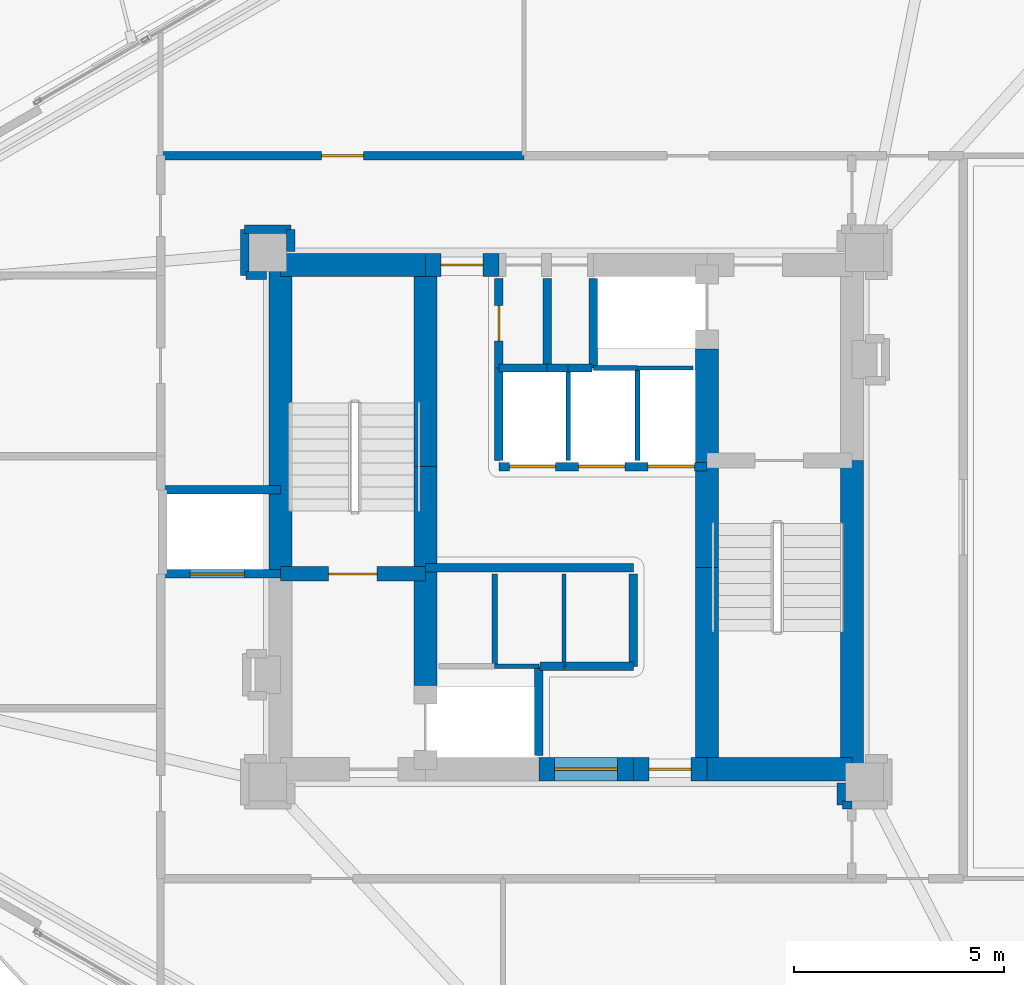
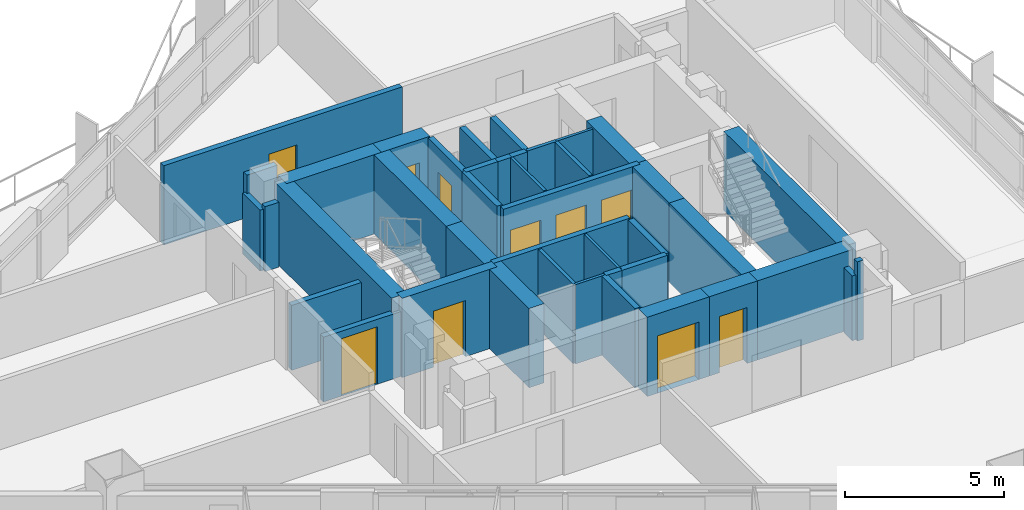
# One storey, part 12 of 16: 43 walls, 10 doors, 10 openings.
"""IFC4 building model written with IfcOpenShell, lengths in metres."""

from ifc_helpers import new_model, si_unit, direction, frame, frame_2d, origin, place, context, subcontext, project, spatial, rectangle, extrude, material, layer, layer_set, type_object, element, fill, save


model = new_model("IFC4")

# Units and contexts
model_context = context("Model", 3, precision=1e-05, world=origin(), true_north=direction((0.0, 1.0)))
body_context = subcontext(model_context, "Body", "Model", "MODEL_VIEW")
ifc_project = project(units=[si_unit("LENGTHUNIT", "METRE"), si_unit("AREAUNIT", "SQUARE_METRE"), si_unit("VOLUMEUNIT", "CUBIC_METRE"), si_unit("PLANEANGLEUNIT", "RADIAN"), si_unit("MASSUNIT", "GRAM", prefix="KILO")], contexts=[model_context])

# Site, building, storey
site_placement = place(None, origin())
site = spatial("IfcSite", under=ifc_project, at=site_placement, CompositionType="ELEMENT")
building_placement = place(site_placement, origin())
building = spatial("IfcBuilding", under=site, at=building_placement, Name="Mersakhor Tower and Convention Hall", CompositionType="ELEMENT")
storey_placement = place(building_placement, frame((0.0, 0.0, 19.199951171875)))
storey = spatial("IfcBuildingStorey", under=building, at=storey_placement, Name="L04", CompositionType="ELEMENT", Elevation=19.199951171875)

# Walls
ifc_material_1 = material(Name="Lightweight gypsum partition", Category="other")
ifc_layer_1 = layer(ifc_material_1, 0.10009765625)
ifc_layer_set_1 = layer_set([ifc_layer_1], Name="Lightweight gypsum partition")
wall_type_1 = type_object("IfcWallType", Name="WL-PRT-100", PredefinedType="PARTITIONING", material=ifc_layer_set_1)
wall_1_placement = place(storey_placement, frame((27.300048828125, 23.199951171875, 0.0), z_axis=(0.0, 0.0, 1.0), x_axis=(1.0, 0.0, 0.0)))
element("IfcWall", 1, at=wall_1_placement, inside=storey, type_object=wall_type_1, Name="L04 Interior Partition Wall P-002", PredefinedType="PARTITIONING", context=body_context, shape_type="SweptSolid", body=[
    extrude(rectangle(XDim=1.050048828125, YDim=0.10009765625, at=frame_2d((0.52490234375, 0.0))), origin(), (0.0, 0.0, 1.0), 3.0400390625),
])
wall_2_placement = place(storey_placement, frame((32.02490234375, 30.300048828125, 0.0), z_axis=(0.0, 0.0, 1.0), x_axis=(-1.0, 0.0, 0.0)))
element("IfcWall", 2, at=wall_2_placement, inside=storey, type_object=wall_type_1, Name="L04 Interior Partition Wall P-004", PredefinedType="PARTITIONING", context=body_context, shape_type="SweptSolid", body=[
    extrude(rectangle(XDim=1.324951171875, YDim=0.10009765625, at=frame_2d((0.66259765625, 0.0))), origin(), (0.0, 0.0, 1.0), 3.0400390625),
])
for number, where, z_axis, x_axis, name in (
    (3, (28.949951171875, 25.39990234375, 0.0), (0.0, 0.0, 1.0), (0.0, -1.0, 0.0), "L04 Interior Partition Wall P-008"),
    (4, (29.050048828125, 30.300048828125, 0.0), (0.0, 0.0, 1.0), (0.0, -1.0, 0.0), "L04 Interior Partition Wall P-014"),
):
    element("IfcWall", number, at=place(storey_placement, frame(where, z_axis=z_axis, x_axis=x_axis)), inside=storey, type_object=wall_type_1, Name=name, PredefinedType="PARTITIONING", context=body_context, shape_type="SweptSolid", body=[
        extrude(rectangle(XDim=2.199951171875, YDim=0.10009765625, at=frame_2d((1.10009765625, 0.0))), origin(), (0.0, 0.0, 1.0), 3.0400390625),
    ])
ifc_material_2 = material(Name="Gypsum board acoustic partition", Category="other")
ifc_layer_2 = layer(ifc_material_2, 0.125)
ifc_layer_set_2 = layer_set([ifc_layer_2], Name="Gypsum board acoustic partition")
wall_type_2 = type_object("IfcWallType", Name="WL-PRT-125", PredefinedType="PARTITIONING", material=ifc_layer_set_2)
wall_3_placement = place(storey_placement, frame((30.699951171875, 30.300048828125, 0.0), z_axis=(0.0, 0.0, 1.0), x_axis=(-1.0, 0.0, 0.0)))
element("IfcWall", 5, at=wall_3_placement, inside=storey, type_object=wall_type_2, Name="L04 Interior Partition Wall P-005", PredefinedType="PARTITIONING", context=body_context, shape_type="SweptSolid", body=[
    extrude(rectangle(XDim=1.050048828125, YDim=0.125, at=frame_2d((0.52490234375, 0.0))), origin(), (0.0, 0.0, 1.0), 3.0400390625),
])
for number, where, z_axis, x_axis, name in (
    (6, (27.300048828125, 25.39990234375, 0.0), (0.0, 0.0, 1.0), (0.0, -1.0, 0.0), "L04 Interior Partition Wall P-007"),
    (7, (30.699951171875, 30.300048828125, 0.0), (0.0, 0.0, 1.0), (0.0, -1.0, 0.0), "L04 Interior Partition Wall P-017"),
):
    element("IfcWall", number, at=place(storey_placement, frame(where, z_axis=z_axis, x_axis=x_axis)), inside=storey, type_object=wall_type_2, Name=name, PredefinedType="PARTITIONING", context=body_context, shape_type="SweptSolid", body=[
        extrude(rectangle(XDim=2.199951171875, YDim=0.125, at=frame_2d((1.10009765625, 0.0))), origin(), (0.0, 0.0, 1.0), 3.0400390625),
    ])
ifc_material_3 = material(Name="Acoustic concrete blockwork and gypsum board", Category="masonry")
ifc_layer_3 = layer(ifc_material_3, 0.199951171875)
ifc_layer_set_3 = layer_set([ifc_layer_3], Name="Acoustic concrete blockwork and gypsum board")
wall_type_3 = type_object("IfcWallType", Name="WL-PRT-200", PredefinedType="PARTITIONING", material=ifc_layer_set_3)
wall_4_placement = place(storey_placement, frame((25.64990234375, 25.550048828125, 0.0), z_axis=(0.0, 0.0, 1.0), x_axis=(1.0, 0.0, 0.0)))
element("IfcWall", 8, at=wall_4_placement, inside=storey, type_object=wall_type_3, Name="L04 High-Rise Lift Bank Front Wall", PredefinedType="PARTITIONING", context=body_context, shape_type="SweptSolid", body=[
    extrude(rectangle(XDim=4.9501953125, YDim=0.199951171875, at=frame_2d((2.47509765625, 0.0))), origin(), (0.0, 0.0, 1.0), 3.0400390625),
])

# Wall, openings, doors
wall_5_placement = place(storey_placement, frame((27.39990234375, 27.949951171875, 0.0), z_axis=(0.0, 0.0, 1.0), x_axis=(1.0, 0.0, 0.0)))
wall_5 = element("IfcWall", 9, at=wall_5_placement, inside=storey, type_object=wall_type_3, Name="L04 Low-Rise Lift Bank Front Wall", PredefinedType="PARTITIONING", context=body_context, shape_type="SweptSolid", body=[
    extrude(rectangle(XDim=4.9501953125, YDim=0.199951171875, at=frame_2d((2.47509765625, 0.0))), origin(), (0.0, 0.0, 1.0), 3.0400390625),
])
opening_1_placement = place(wall_5_placement, frame((0.25, 0.0, 0.0)))
opening_1 = element("IfcOpeningElement", 10, at=opening_1_placement, cuts=wall_5, Name="Opening LD-P1", PredefinedType="OPENING", context=body_context, shape_type="SweptSolid", body=[
    extrude(rectangle(XDim=1.10009765625, YDim=2.14990234375, at=frame_2d((0.550048828125, 1.074951171875))), frame((0.0, 0.10986328125, 0.0), z_axis=(0.0, -1.0, 0.0), x_axis=(1.0, 0.0, 0.0)), (0.0, 0.0, 1.0), 0.219970703125),
])
opening_2_placement = place(wall_5_placement, frame((1.89990234375, 0.0, 0.0)))
opening_2 = element("IfcOpeningElement", 11, at=opening_2_placement, cuts=wall_5, Name="Opening LD-P2", PredefinedType="OPENING", context=body_context, shape_type="SweptSolid", body=[
    extrude(rectangle(XDim=1.10009765625, YDim=2.14990234375, at=frame_2d((0.550048828125, 1.074951171875))), frame((0.0, 0.10986328125, 0.0), z_axis=(0.0, -1.0, 0.0), x_axis=(1.0, 0.0, 0.0)), (0.0, 0.0, 1.0), 0.219970703125),
])
opening_3_placement = place(wall_5_placement, frame((3.550048828125, 0.0, 0.0)))
opening_3 = element("IfcOpeningElement", 12, at=opening_3_placement, cuts=wall_5, Name="Opening LD-P3", PredefinedType="OPENING", context=body_context, shape_type="SweptSolid", body=[
    extrude(rectangle(XDim=1.10009765625, YDim=2.14990234375, at=frame_2d((0.550048828125, 1.074951171875))), frame((0.0, 0.10986328125, 0.0), z_axis=(0.0, -1.0, 0.0), x_axis=(1.0, 0.0, 0.0)), (0.0, 0.0, 1.0), 0.219970703125),
])
ifc_material_4 = material(Name="Fire-rated brushed stainless steel sliding landing door", Category="steel")
door_type_1 = type_object("IfcDoorType", Name="DR-LIFT-SLD-110x215", OperationType="NOTDEFINED", PredefinedType="DOOR", material=ifc_material_4)
door_1_placement = place(opening_1_placement, origin())
door_1 = element("IfcDoor", 13, at=door_1_placement, inside=storey, type_object=door_type_1, Name="L04 Lift Landing Door LD-P1", OperationType="SLIDING_TO_LEFT", OverallHeight=2.14990234375, OverallWidth=1.10009765625, PredefinedType="DOOR", context=body_context, shape_type="SweptSolid", body=[
    extrude(rectangle(XDim=1.10009765625, YDim=2.14990234375, at=frame_2d((0.550048828125, 1.074951171875))), frame((0.0, 0.02490234375, 0.0), z_axis=(0.0, -1.0, 0.0), x_axis=(1.0, 0.0, 0.0)), (0.0, 0.0, 1.0), 0.050048828125),
])
fill(opening_1, door_1)
door_2_placement = place(opening_2_placement, origin())
door_2 = element("IfcDoor", 14, at=door_2_placement, inside=storey, type_object=door_type_1, Name="L04 Lift Landing Door LD-P2", OperationType="SLIDING_TO_LEFT", OverallHeight=2.14990234375, OverallWidth=1.10009765625, PredefinedType="DOOR", context=body_context, shape_type="SweptSolid", body=[
    extrude(rectangle(XDim=1.10009765625, YDim=2.14990234375, at=frame_2d((0.550048828125, 1.074951171875))), frame((0.0, 0.02490234375, 0.0), z_axis=(0.0, -1.0, 0.0), x_axis=(1.0, 0.0, 0.0)), (0.0, 0.0, 1.0), 0.050048828125),
])
fill(opening_2, door_2)
door_3_placement = place(opening_3_placement, origin())
door_3 = element("IfcDoor", 15, at=door_3_placement, inside=storey, type_object=door_type_1, Name="L04 Lift Landing Door LD-P3", OperationType="SLIDING_TO_LEFT", OverallHeight=2.14990234375, OverallWidth=1.10009765625, PredefinedType="DOOR", context=body_context, shape_type="SweptSolid", body=[
    extrude(rectangle(XDim=1.10009765625, YDim=2.14990234375, at=frame_2d((0.550048828125, 1.074951171875))), frame((0.0, 0.02490234375, 0.0), z_axis=(0.0, -1.0, 0.0), x_axis=(1.0, 0.0, 0.0)), (0.0, 0.0, 1.0), 0.050048828125),
])
fill(opening_3, door_3)

# Wall
wall_6_placement = place(storey_placement, frame((19.39990234375, 27.39990234375, 0.0), z_axis=(0.0, 0.0, 1.0), x_axis=(1.0, 0.0, 0.0)))
element("IfcWall", 16, at=wall_6_placement, inside=storey, type_object=wall_type_3, Name="L04 Clinic Lift North Wall", PredefinedType="PARTITIONING", context=body_context, shape_type="SweptSolid", body=[
    extrude(rectangle(XDim=2.800048828125, YDim=0.199951171875, at=frame_2d((1.39990234375, 0.0))), origin(), (0.0, 0.0, 1.0), 2.48828125),
])

# Wall, opening, door
wall_7_placement = place(storey_placement, frame((22.199951171875, 25.39990234375, 0.0), z_axis=(0.0, 0.0, 1.0), x_axis=(-1.0, 0.0, 0.0)))
wall_7 = element("IfcWall", 17, at=wall_7_placement, inside=storey, type_object=wall_type_3, Name="L04 Clinic Lift Front Wall", PredefinedType="PARTITIONING", context=body_context, shape_type="SweptSolid", body=[
    extrude(rectangle(XDim=2.800048828125, YDim=0.199951171875, at=frame_2d((1.39990234375, 0.0))), origin(), (0.0, 0.0, 1.0), 2.48828125),
])
opening_4_placement = place(wall_7_placement, frame((0.85009765625, 0.0, 0.0)))
opening_4 = element("IfcOpeningElement", 18, at=opening_4_placement, cuts=wall_7, Name="Opening LD-CL1", PredefinedType="OPENING", context=body_context, shape_type="SweptSolid", body=[
    extrude(rectangle(XDim=1.300048828125, YDim=2.199951171875, at=frame_2d((0.64990234375, 1.10009765625))), frame((0.0, 0.10986328125, 0.0), z_axis=(0.0, -1.0, 0.0), x_axis=(1.0, 0.0, 0.0)), (0.0, 0.0, 1.0), 0.219970703125),
])
ifc_material_5 = material(Name="Fire-rated brushed stainless steel sliding landing door", Category="steel")
door_type_2 = type_object("IfcDoorType", Name="DR-LIFT-SLD-130x220", OperationType="NOTDEFINED", PredefinedType="DOOR", material=ifc_material_5)
door_4_placement = place(opening_4_placement, origin())
door_4 = element("IfcDoor", 19, at=door_4_placement, inside=storey, type_object=door_type_2, Name="L04 Clinic Stretcher Lift Landing Door LD-CL1", OperationType="SLIDING_TO_LEFT", OverallHeight=2.199951171875, OverallWidth=1.300048828125, PredefinedType="DOOR", context=body_context, shape_type="SweptSolid", body=[
    extrude(rectangle(XDim=1.300048828125, YDim=2.199951171875, at=frame_2d((0.64990234375, 1.10009765625))), frame((0.0, 0.02490234375, 0.0), z_axis=(0.0, -1.0, 0.0), x_axis=(1.0, 0.0, 0.0)), (0.0, 0.0, 1.0), 0.050048828125),
])
fill(opening_4, door_4)

# Walls
for number, where, z_axis, x_axis, name in (
    (20, (28.35009765625, 23.199951171875, 0.0), (0.0, 0.0, 1.0), (0.0, -1.0, 0.0), "L04 Interior Partition Wall P-003"),
    (21, (29.64990234375, 30.300048828125, 0.0), (0.0, 0.0, 1.0), (0.0, 1.0, 0.0), "L04 Interior Partition Wall P-006"),
):
    element("IfcWall", number, at=place(storey_placement, frame(where, z_axis=z_axis, x_axis=x_axis)), inside=storey, type_object=wall_type_3, Name=name, PredefinedType="PARTITIONING", context=body_context, shape_type="SweptSolid", body=[
        extrude(rectangle(XDim=2.125, YDim=0.199951171875, at=frame_2d((1.0625, 0.0))), origin(), (0.0, 0.0, 1.0), 3.0400390625),
    ])
wall_8_placement = place(storey_placement, frame((28.949951171875, 23.199951171875, 0.0), z_axis=(0.0, 0.0, 1.0), x_axis=(-1.0, 0.0, 0.0)))
element("IfcWall", 22, at=wall_8_placement, inside=storey, type_object=wall_type_3, Name="L04 Interior Partition Wall P-009", PredefinedType="PARTITIONING", context=body_context, shape_type="SweptSolid", body=[
    extrude(rectangle(XDim=0.570068359375, YDim=0.199951171875, at=frame_2d((0.28515625, 0.0))), origin(), (0.0, 0.0, 1.0), 3.0400390625),
])
wall_9_placement = place(storey_placement, frame((30.60009765625, 25.39990234375, 0.0), z_axis=(0.0, 0.0, 1.0), x_axis=(0.0, -1.0, 0.0)))
element("IfcWall", 23, at=wall_9_placement, inside=storey, type_object=wall_type_3, Name="L04 Interior Partition Wall P-010", PredefinedType="PARTITIONING", context=body_context, shape_type="SweptSolid", body=[
    extrude(rectangle(XDim=2.199951171875, YDim=0.199951171875, at=frame_2d((1.10009765625, 0.0))), origin(), (0.0, 0.0, 1.0), 3.0400390625),
])
wall_10_placement = place(storey_placement, frame((30.60009765625, 23.199951171875, 0.0), z_axis=(0.0, 0.0, 1.0), x_axis=(-1.0, 0.0, 0.0)))
element("IfcWall", 24, at=wall_10_placement, inside=storey, type_object=wall_type_3, Name="L04 Interior Partition Wall P-011", PredefinedType="PARTITIONING", context=body_context, shape_type="SweptSolid", body=[
    extrude(rectangle(XDim=1.650146484375, YDim=0.199951171875, at=frame_2d((0.8251953125, 0.0))), origin(), (0.0, 0.0, 1.0), 3.0400390625),
])
wall_11_placement = place(storey_placement, frame((27.39990234375, 30.300048828125, 0.0), z_axis=(0.0, 0.0, 1.0), x_axis=(1.0, 0.0, 0.0)))
element("IfcWall", 25, at=wall_11_placement, inside=storey, type_object=wall_type_3, Name="L04 Interior Partition Wall P-012", PredefinedType="PARTITIONING", context=body_context, shape_type="SweptSolid", body=[
    extrude(rectangle(XDim=1.150146484375, YDim=0.199951171875, at=frame_2d((0.5751953125, 0.0))), origin(), (0.0, 0.0, 1.0), 3.0400390625),
])
wall_12_placement = place(storey_placement, frame((28.550048828125, 30.300048828125, 0.0), z_axis=(0.0, 0.0, 1.0), x_axis=(1.0, 0.0, 0.0)))
element("IfcWall", 26, at=wall_12_placement, inside=storey, type_object=wall_type_3, Name="L04 Interior Partition Wall P-013", PredefinedType="PARTITIONING", context=body_context, shape_type="SweptSolid", body=[
    extrude(rectangle(XDim=0.5, YDim=0.199951171875, at=frame_2d((0.25, 0.0))), origin(), (0.0, 0.0, 1.0), 3.0400390625),
])
wall_13_placement = place(storey_placement, frame((27.39990234375, 28.10009765625, 0.0), z_axis=(0.0, 0.0, 1.0), x_axis=(0.0, 1.0, 0.0)))
element("IfcWall", 27, at=wall_13_placement, inside=storey, type_object=wall_type_3, Name="L04 Interior Partition Wall P-015", PredefinedType="PARTITIONING", context=body_context, shape_type="SweptSolid", body=[
    extrude(rectangle(XDim=2.199951171875, YDim=0.199951171875, at=frame_2d((1.10009765625, 0.0))), origin(), (0.0, 0.0, 1.0), 3.0400390625),
])
wall_14_placement = place(storey_placement, frame((29.050048828125, 30.300048828125, 0.0), z_axis=(0.0, 0.0, 1.0), x_axis=(1.0, 0.0, 0.0)))
element("IfcWall", 28, at=wall_14_placement, inside=storey, type_object=wall_type_3, Name="L04 Interior Partition Wall P-016", PredefinedType="PARTITIONING", context=body_context, shape_type="SweptSolid", body=[
    extrude(rectangle(XDim=0.570068359375, YDim=0.199951171875, at=frame_2d((0.28515625, 0.0))), origin(), (0.0, 0.0, 1.0), 3.0400390625),
])

# Wall, opening, door
wall_15_placement = place(storey_placement, frame((27.39990234375, 32.425048828125, 0.0), z_axis=(0.0, 0.0, 1.0), x_axis=(0.0, -1.0, 0.0)))
wall_15 = element("IfcWall", 29, at=wall_15_placement, inside=storey, type_object=wall_type_3, Name="L04 Interior Partition Wall P-018", PredefinedType="PARTITIONING", context=body_context, shape_type="SweptSolid", body=[
    extrude(rectangle(XDim=2.125, YDim=0.199951171875, at=frame_2d((1.0625, 0.0))), origin(), (0.0, 0.0, 1.0), 3.0400390625),
])
opening_5_placement = place(wall_15_placement, frame((0.637451171875, 0.0, 0.0)))
opening_5 = element("IfcOpeningElement", 30, at=opening_5_placement, cuts=wall_15, Name="Opening SVD-01", PredefinedType="OPENING", context=body_context, shape_type="SweptSolid", body=[
    extrude(rectangle(XDim=0.85009765625, YDim=2.10009765625, at=frame_2d((0.425048828125, 1.050048828125))), frame((0.0, 0.10986328125, 0.0), z_axis=(0.0, -1.0, 0.0), x_axis=(1.0, 0.0, 0.0)), (0.0, 0.0, 1.0), 0.219970703125),
])
ifc_material_6 = material(Name="Fire-rated hardwood leaf and painted steel frame", Category="steel")
door_type_3 = type_object("IfcDoorType", Name="DR-INT-SVC-085x210", OperationType="NOTDEFINED", PredefinedType="DOOR", material=ifc_material_6)
door_5_placement = place(opening_5_placement, origin())
door_5 = element("IfcDoor", 31, at=door_5_placement, inside=storey, type_object=door_type_3, Name="L04 Central Passenger Lift Lobby to Telecoms Distribution Room Door", OperationType="SINGLE_SWING_RIGHT", OverallHeight=2.10009765625, OverallWidth=0.85009765625, PredefinedType="DOOR", context=body_context, shape_type="SweptSolid", body=[
    extrude(rectangle(XDim=0.85009765625, YDim=2.10009765625, at=frame_2d((0.425048828125, 1.050048828125))), frame((0.0, 0.02490234375, 0.0), z_axis=(0.0, -1.0, 0.0), x_axis=(1.0, 0.0, 0.0)), (0.0, 0.0, 1.0), 0.050048828125),
])
fill(opening_5, door_5)

# Walls
wall_16_placement = place(storey_placement, frame((35.550048828125, 20.425048828125, 0.0), z_axis=(0.0, 0.0, 1.0), x_axis=(0.0, -1.0, 0.0)))
element("IfcWall", 32, at=wall_16_placement, inside=storey, type_object=wall_type_3, Name="L04 Interior Partition Wall P-023", PredefinedType="PARTITIONING", context=body_context, shape_type="SweptSolid", body=[
    extrude(rectangle(XDim=0.525146484375, YDim=0.199951171875, at=frame_2d((0.2626953125, 0.0))), origin(), (0.0, 0.0, 1.0), 2.48828125),
])
wall_17_placement = place(storey_placement, frame((35.580078125, 19.89990234375, 0.0), z_axis=(0.0, 0.0, 1.0), x_axis=(1.0, 0.0, 0.0)))
element("IfcWall", 33, at=wall_17_placement, inside=storey, type_object=wall_type_3, Name="L04 Interior Partition Wall P-024", PredefinedType="PARTITIONING", context=body_context, shape_type="SweptSolid", body=[
    extrude(rectangle(XDim=0.219970703125, YDim=0.199951171875, at=frame_2d((0.10986328125, 0.0))), origin(), (0.0, 0.0, 1.0), 3.0400390625),
])

# Wall, opening, door
wall_18_placement = place(storey_placement, frame((19.35009765625, 35.35009765625, 0.0), z_axis=(0.0, 0.0, 1.0), x_axis=(1.0, 0.0, 0.0)))
wall_18 = element("IfcWall", 34, at=wall_18_placement, inside=storey, type_object=wall_type_3, Name="L04 Interior Partition Wall P-033", PredefinedType="PARTITIONING", context=body_context, shape_type="SweptSolid", body=[
    extrude(rectangle(XDim=8.64990234375, YDim=0.199951171875, at=frame_2d((4.324951171875, 0.0))), origin(), (0.0, 0.0, 1.0), 3.0400390625),
])
opening_6_placement = place(wall_18_placement, frame((3.824951171875, 0.0, 0.0)))
opening_6 = element("IfcOpeningElement", 35, at=opening_6_placement, cuts=wall_18, Name="Opening FD-01", PredefinedType="OPENING", context=body_context, shape_type="SweptSolid", body=[
    extrude(rectangle(XDim=1.0, YDim=2.14990234375, at=frame_2d((0.5, 1.074951171875))), frame((0.0, 0.10986328125, 0.0), z_axis=(0.0, -1.0, 0.0), x_axis=(1.0, 0.0, 0.0)), (0.0, 0.0, 1.0), 0.219970703125),
])
ifc_material_7 = material(Name="Fire-rated hardwood leaf and painted steel frame", Category="steel")
door_type_4 = type_object("IfcDoorType", Name="DR-INT-FLT-100x215", OperationType="NOTDEFINED", PredefinedType="DOOR", material=ifc_material_7)
door_6_placement = place(opening_6_placement, origin())
door_6 = element("IfcDoor", 36, at=door_6_placement, inside=storey, type_object=door_type_4, Name="L04 L04 Sky-Lobby Corridor to Early Years Nursery Classroom 1 Door", OperationType="SINGLE_SWING_LEFT", OverallHeight=2.14990234375, OverallWidth=1.0, PredefinedType="DOOR", context=body_context, shape_type="SweptSolid", body=[
    extrude(rectangle(XDim=1.0, YDim=2.14990234375, at=frame_2d((0.5, 1.074951171875))), frame((0.0, 0.02490234375, 0.0), z_axis=(0.0, -1.0, 0.0), x_axis=(1.0, 0.0, 0.0)), (0.0, 0.0, 1.0), 0.050048828125),
])
fill(opening_6, door_6)

# Walls
wall_19_placement = place(storey_placement, frame((22.449951171875, 33.074951171875, 0.0), z_axis=(0.0, 0.0, 1.0), x_axis=(0.0, 1.0, 0.0)))
element("IfcWall", 37, at=wall_19_placement, inside=storey, type_object=wall_type_3, Name="L04 Interior Partition Wall P-038", PredefinedType="PARTITIONING", context=body_context, shape_type="SweptSolid", body=[
    extrude(rectangle(XDim=0.525146484375, YDim=0.199951171875, at=frame_2d((0.2626953125, 0.0))), origin(), (0.0, 0.0, 1.0), 2.48828125),
])
wall_20_placement = place(storey_placement, frame((22.449951171875, 33.60009765625, 0.0), z_axis=(0.0, 0.0, 1.0), x_axis=(-1.0, 0.0, 0.0)))
element("IfcWall", 38, at=wall_20_placement, inside=storey, type_object=wall_type_3, Name="L04 Interior Partition Wall P-039", PredefinedType="PARTITIONING", context=body_context, shape_type="SweptSolid", body=[
    extrude(rectangle(XDim=1.099853515625, YDim=0.199951171875, at=frame_2d((0.5498046875, 0.0))), origin(), (0.0, 0.0, 1.0), 3.0400390625),
])
wall_21_placement = place(storey_placement, frame((21.35009765625, 33.60009765625, 0.0), z_axis=(0.0, 0.0, 1.0), x_axis=(0.0, -1.0, 0.0)))
element("IfcWall", 39, at=wall_21_placement, inside=storey, type_object=wall_type_3, Name="L04 Interior Partition Wall P-040", PredefinedType="PARTITIONING", context=body_context, shape_type="SweptSolid", body=[
    extrude(rectangle(XDim=1.10009765625, YDim=0.199951171875, at=frame_2d((0.550048828125, 0.0))), origin(), (0.0, 0.0, 1.0), 2.337646484375),
])
wall_22_placement = place(storey_placement, frame((21.3798828125, 32.5, 0.0), z_axis=(0.0, 0.0, 1.0), x_axis=(1.0, 0.0, 0.0)))
element("IfcWall", 40, at=wall_22_placement, inside=storey, type_object=wall_type_3, Name="L04 Interior Partition Wall P-041", PredefinedType="PARTITIONING", context=body_context, shape_type="SweptSolid", body=[
    extrude(rectangle(XDim=0.4951171875, YDim=0.199951171875, at=frame_2d((0.24755859375, 0.0))), origin(), (0.0, 0.0, 1.0), 2.48828125),
])
wall_23_placement = place(storey_placement, frame((28.550048828125, 32.425048828125, 0.0), z_axis=(0.0, 0.0, 1.0), x_axis=(0.0, -1.0, 0.0)))
element("IfcWall", 41, at=wall_23_placement, inside=storey, type_object=wall_type_3, Name="L04 Interior Partition Wall P-062", PredefinedType="PARTITIONING", context=body_context, shape_type="SweptSolid", body=[
    extrude(rectangle(XDim=2.125, YDim=0.199951171875, at=frame_2d((1.0625, 0.0))), origin(), (0.0, 0.0, 1.0), 3.0400390625),
])

# Wall, opening, door
ifc_material_8 = material(Name="Concrete C50/60", Category="concrete")
ifc_layer_4 = layer(ifc_material_8, 0.35009765625)
ifc_layer_set_4 = layer_set([ifc_layer_4], Name="Concrete C50/60")
wall_type_4 = type_object("IfcWallType", Name="WL-SHR-350", PredefinedType="SHEAR", material=ifc_layer_set_4)
wall_24_placement = place(storey_placement, frame((22.199951171875, 25.39990234375, 0.0), z_axis=(0.0, 0.0, 1.0), x_axis=(1.0, 0.0, 0.0)))
wall_24 = element("IfcWall", 42, at=wall_24_placement, inside=storey, type_object=wall_type_4, Name="L04 Core Wall CS-ST1-S", PredefinedType="SHEAR", context=body_context, shape_type="SweptSolid", body=[
    extrude(rectangle(XDim=3.449951171875, YDim=0.35009765625, at=frame_2d((1.72509765625, 0.0))), origin(), (0.0, 0.0, 1.0), 3.0400390625),
])
opening_7_placement = place(wall_24_placement, frame((1.14990234375, 0.0, 0.0)))
opening_7 = element("IfcOpeningElement", 43, at=opening_7_placement, cuts=wall_24, Name="Opening SD-01", PredefinedType="OPENING", context=body_context, shape_type="SweptSolid", body=[
    extrude(rectangle(XDim=1.14990234375, YDim=2.14990234375, at=frame_2d((0.574951171875, 1.074951171875))), frame((0.0, 0.18505859375, 0.0), z_axis=(0.0, -1.0, 0.0), x_axis=(1.0, 0.0, 0.0)), (0.0, 0.0, 1.0), 0.3701171875),
])
ifc_material_9 = material(Name="Fire-rated hardwood leaf and painted steel frame", Category="steel")
door_type_5 = type_object("IfcDoorType", Name="DR-INT-STAIR-115x215", OperationType="NOTDEFINED", PredefinedType="DOOR", material=ifc_material_9)
door_7_placement = place(opening_7_placement, origin())
door_7 = element("IfcDoor", 44, at=door_7_placement, inside=storey, type_object=door_type_5, Name="L04 Exit Stair ST-1 Enclosure Door", OperationType="SINGLE_SWING_LEFT", OverallHeight=2.14990234375, OverallWidth=1.14990234375, PredefinedType="DOOR", context=body_context, shape_type="SweptSolid", body=[
    extrude(rectangle(XDim=1.14990234375, YDim=2.14990234375, at=frame_2d((0.574951171875, 1.074951171875))), frame((0.0, 0.02490234375, 0.0), z_axis=(0.0, -1.0, 0.0), x_axis=(1.0, 0.0, 0.0)), (0.0, 0.0, 1.0), 0.050048828125),
])
fill(opening_7, door_7)

# Walls
ifc_material_10 = material(Name="Concrete C70/85", Category="concrete")
ifc_layer_5 = layer(ifc_material_10, 0.550048828125)
ifc_layer_set_5 = layer_set([ifc_layer_5], Name="Concrete C70/85")
wall_type_5 = type_object("IfcWallType", Name="WL-SHR-550", PredefinedType="SHEAR", material=ifc_layer_set_5)
wall_25_placement = place(storey_placement, frame((22.199951171875, 25.39990234375, 0.0), z_axis=(0.0, 0.0, 1.0), x_axis=(0.0, 1.0, 0.0)))
element("IfcWall", 45, at=wall_25_placement, inside=storey, type_object=wall_type_5, Name="L04 Core Wall CW-W2", PredefinedType="SHEAR", context=body_context, shape_type="SweptSolid", body=[
    extrude(rectangle(XDim=7.35009765625, YDim=0.550048828125, at=frame_2d((3.675048828125, 0.0))), origin(), (0.0, 0.0, 1.0), 3.0400390625),
])
wall_26_placement = place(storey_placement, frame((22.199951171875, 32.75, 0.0), z_axis=(0.0, 0.0, 1.0), x_axis=(1.0, 0.0, 0.0)))
element("IfcWall", 46, at=wall_26_placement, inside=storey, type_object=wall_type_5, Name="L04 Core Wall CW-N1", PredefinedType="SHEAR", context=body_context, shape_type="SweptSolid", body=[
    extrude(rectangle(XDim=3.449951171875, YDim=0.550048828125, at=frame_2d((1.72509765625, 0.0))), origin(), (0.0, 0.0, 1.0), 3.0400390625),
])

# Wall, opening, door
wall_27_placement = place(storey_placement, frame((25.64990234375, 32.75, 0.0), z_axis=(0.0, 0.0, 1.0), x_axis=(1.0, 0.0, 0.0)))
wall_27 = element("IfcWall", 47, at=wall_27_placement, inside=storey, type_object=wall_type_5, Name="L04 Core Wall CW-N2A", PredefinedType="SHEAR", context=body_context, shape_type="SweptSolid", body=[
    extrude(rectangle(XDim=1.75, YDim=0.550048828125, at=frame_2d((0.875, 0.0))), origin(), (0.0, 0.0, 1.0), 3.0400390625),
])
opening_8_placement = place(wall_27_placement, frame((0.375, 0.0, 0.0)))
opening_8 = element("IfcOpeningElement", 48, at=opening_8_placement, cuts=wall_27, Name="Opening CFD-01", PredefinedType="OPENING", context=body_context, shape_type="SweptSolid", body=[
    extrude(rectangle(XDim=1.0, YDim=2.14990234375, at=frame_2d((0.5, 1.074951171875))), frame((0.0, 0.284912109375, 0.0), z_axis=(0.0, -1.0, 0.0), x_axis=(1.0, 0.0, 0.0)), (0.0, 0.0, 1.0), 0.570068359375),
])
ifc_material_11 = material(Name="Fire-rated hardwood leaf and painted steel frame", Category="steel")
door_type_6 = type_object("IfcDoorType", Name="DR-CORE-FD-100x215", OperationType="NOTDEFINED", PredefinedType="DOOR", material=ifc_material_11)
door_8_placement = place(opening_8_placement, origin())
door_8 = element("IfcDoor", 49, at=door_8_placement, inside=storey, type_object=door_type_6, Name="L04 Lift Lobby North Corridor Door", OperationType="SINGLE_SWING_LEFT", OverallHeight=2.14990234375, OverallWidth=1.0, PredefinedType="DOOR", context=body_context, shape_type="SweptSolid", body=[
    extrude(rectangle(XDim=1.0, YDim=2.14990234375, at=frame_2d((0.5, 1.074951171875))), frame((0.0, 0.02490234375, 0.0), z_axis=(0.0, -1.0, 0.0), x_axis=(1.0, 0.0, 0.0)), (0.0, 0.0, 1.0), 0.050048828125),
])
fill(opening_8, door_8)

# Walls
wall_28_placement = place(storey_placement, frame((35.800048828125, 28.10009765625, 0.0), z_axis=(0.0, 0.0, 1.0), x_axis=(0.0, -1.0, 0.0)))
element("IfcWall", 50, at=wall_28_placement, inside=storey, type_object=wall_type_5, Name="L04 Core Wall CW-E2", PredefinedType="SHEAR", context=body_context, shape_type="SweptSolid", body=[
    extrude(rectangle(XDim=7.35009765625, YDim=0.550048828125, at=frame_2d((3.675048828125, 0.0))), origin(), (0.0, 0.0, 1.0), 3.0400390625),
])
wall_29_placement = place(storey_placement, frame((35.800048828125, 20.75, 0.0), z_axis=(0.0, 0.0, 1.0), x_axis=(-1.0, 0.0, 0.0)))
element("IfcWall", 51, at=wall_29_placement, inside=storey, type_object=wall_type_5, Name="L04 Core Wall CW-S1", PredefinedType="SHEAR", context=body_context, shape_type="SweptSolid", body=[
    extrude(rectangle(XDim=3.449951171875, YDim=0.550048828125, at=frame_2d((1.72509765625, 0.0))), origin(), (0.0, 0.0, 1.0), 3.0400390625),
])

# Wall, opening, door
wall_30_placement = place(storey_placement, frame((32.35009765625, 20.75, 0.0), z_axis=(0.0, 0.0, 1.0), x_axis=(-1.0, 0.0, 0.0)))
wall_30 = element("IfcWall", 52, at=wall_30_placement, inside=storey, type_object=wall_type_5, Name="L04 Core Wall CW-S2A", PredefinedType="SHEAR", context=body_context, shape_type="SweptSolid", body=[
    extrude(rectangle(XDim=1.75, YDim=0.550048828125, at=frame_2d((0.875, 0.0))), origin(), (0.0, 0.0, 1.0), 3.0400390625),
])
opening_9_placement = place(wall_30_placement, frame((0.375, 0.0, 0.0)))
opening_9 = element("IfcOpeningElement", 53, at=opening_9_placement, cuts=wall_30, Name="Opening CFD-01", PredefinedType="OPENING", context=body_context, shape_type="SweptSolid", body=[
    extrude(rectangle(XDim=1.0, YDim=2.14990234375, at=frame_2d((0.5, 1.074951171875))), frame((0.0, 0.284912109375, 0.0), z_axis=(0.0, -1.0, 0.0), x_axis=(1.0, 0.0, 0.0)), (0.0, 0.0, 1.0), 0.570068359375),
])
door_9_placement = place(opening_9_placement, origin())
door_9 = element("IfcDoor", 54, at=door_9_placement, inside=storey, type_object=door_type_6, Name="L04 Lift Lobby South Corridor Door", OperationType="SINGLE_SWING_RIGHT", OverallHeight=2.14990234375, OverallWidth=1.0, PredefinedType="DOOR", context=body_context, shape_type="SweptSolid", body=[
    extrude(rectangle(XDim=1.0, YDim=2.14990234375, at=frame_2d((0.5, 1.074951171875))), frame((0.0, 0.02490234375, 0.0), z_axis=(0.0, -1.0, 0.0), x_axis=(1.0, 0.0, 0.0)), (0.0, 0.0, 1.0), 0.050048828125),
])
fill(opening_9, door_9)

wall_31_placement = place(storey_placement, frame((30.60009765625, 20.75, 0.0), z_axis=(0.0, 0.0, 1.0), x_axis=(-1.0, 0.0, 0.0)))
wall_31 = element("IfcWall", 55, at=wall_31_placement, inside=storey, type_object=wall_type_5, Name="L04 Core Wall CW-S2B", PredefinedType="SHEAR", context=body_context, shape_type="SweptSolid", body=[
    extrude(rectangle(XDim=2.25, YDim=0.550048828125, at=frame_2d((1.125, 0.0))), origin(), (0.0, 0.0, 1.0), 3.0400390625),
])
opening_10_placement = place(wall_31_placement, frame((0.375, 0.0, 0.0)))
opening_10 = element("IfcOpeningElement", 56, at=opening_10_placement, cuts=wall_31, Name="Opening LD-LOB", PredefinedType="OPENING", context=body_context, shape_type="SweptSolid", body=[
    extrude(rectangle(XDim=1.5, YDim=2.199951171875, at=frame_2d((0.75, 1.10009765625))), frame((0.0, 0.284912109375, 0.0), z_axis=(0.0, -1.0, 0.0), x_axis=(1.0, 0.0, 0.0)), (0.0, 0.0, 1.0), 0.570068359375),
])
ifc_material_12 = material(Name="Fire-rated hardwood leaf and painted steel frame", Category="steel")
door_type_7 = type_object("IfcDoorType", Name="DR-INT-LOB-150x220", OperationType="NOTDEFINED", PredefinedType="DOOR", material=ifc_material_12)
door_10_placement = place(opening_10_placement, origin())
door_10 = element("IfcDoor", 57, at=door_10_placement, inside=storey, type_object=door_type_7, Name="L04 Central Passenger Lift Lobby to L04 Sky-Lobby Corridor Door", OperationType="DOUBLE_DOOR_SINGLE_SWING", OverallHeight=2.199951171875, OverallWidth=1.5, PredefinedType="DOOR", context=body_context, shape_type="SweptSolid", body=[
    extrude(rectangle(XDim=1.5, YDim=2.199951171875, at=frame_2d((0.75, 1.10009765625))), frame((0.0, 0.02490234375, 0.0), z_axis=(0.0, -1.0, 0.0), x_axis=(1.0, 0.0, 0.0)), (0.0, 0.0, 1.0), 0.050048828125),
])
fill(opening_10, door_10)

# Walls
wall_32_placement = place(storey_placement, frame((25.64990234375, 22.75, 0.0), z_axis=(0.0, 0.0, 1.0), x_axis=(0.0, 1.0, 0.0)))
element("IfcWall", 58, at=wall_32_placement, inside=storey, type_object=wall_type_5, Name="L04 Core Wall CS-W-MID", PredefinedType="SHEAR", context=body_context, shape_type="SweptSolid", body=[
    extrude(rectangle(XDim=2.800048828125, YDim=0.550048828125, at=frame_2d((1.39990234375, 0.0))), origin(), (0.0, 0.0, 1.0), 3.0400390625),
])
wall_33_placement = place(storey_placement, frame((25.64990234375, 25.550048828125, 0.0), z_axis=(0.0, 0.0, 1.0), x_axis=(0.0, 1.0, 0.0)))
element("IfcWall", 59, at=wall_33_placement, inside=storey, type_object=wall_type_5, Name="L04 Core Wall CS-W-LOB", PredefinedType="SHEAR", context=body_context, shape_type="SweptSolid", body=[
    extrude(rectangle(XDim=2.39990234375, YDim=0.550048828125, at=frame_2d((1.199951171875, 0.0))), origin(), (0.0, 0.0, 1.0), 3.0400390625),
])
for number, where, z_axis, x_axis, name in (
    (60, (25.64990234375, 27.949951171875, 0.0), (0.0, 0.0, 1.0), (0.0, 1.0, 0.0), "L04 Core Wall CS-W-ST1"),
    (61, (32.35009765625, 20.75, 0.0), (0.0, 0.0, 1.0), (0.0, 1.0, 0.0), "L04 Core Wall CS-E-ST2"),
):
    element("IfcWall", number, at=place(storey_placement, frame(where, z_axis=z_axis, x_axis=x_axis)), inside=storey, type_object=wall_type_5, Name=name, PredefinedType="SHEAR", context=body_context, shape_type="SweptSolid", body=[
        extrude(rectangle(XDim=4.800048828125, YDim=0.550048828125, at=frame_2d((2.39990234375, 0.0))), origin(), (0.0, 0.0, 1.0), 3.0400390625),
    ])
wall_34_placement = place(storey_placement, frame((32.35009765625, 25.550048828125, 0.0), z_axis=(0.0, 0.0, 1.0), x_axis=(0.0, 1.0, 0.0)))
element("IfcWall", 62, at=wall_34_placement, inside=storey, type_object=wall_type_5, Name="L04 Core Wall CS-E-LOB", PredefinedType="SHEAR", context=body_context, shape_type="SweptSolid", body=[
    extrude(rectangle(XDim=2.39990234375, YDim=0.550048828125, at=frame_2d((1.199951171875, 0.0))), origin(), (0.0, 0.0, 1.0), 3.0400390625),
])
wall_35_placement = place(storey_placement, frame((32.35009765625, 27.949951171875, 0.0), z_axis=(0.0, 0.0, 1.0), x_axis=(0.0, 1.0, 0.0)))
element("IfcWall", 63, at=wall_35_placement, inside=storey, type_object=wall_type_5, Name="L04 Core Wall CS-E-MID", PredefinedType="SHEAR", context=body_context, shape_type="SweptSolid", body=[
    extrude(rectangle(XDim=2.800048828125, YDim=0.550048828125, at=frame_2d((1.39990234375, 0.0))), origin(), (0.0, 0.0, 1.0), 3.0400390625),
])

save(model, "model.ifc")
